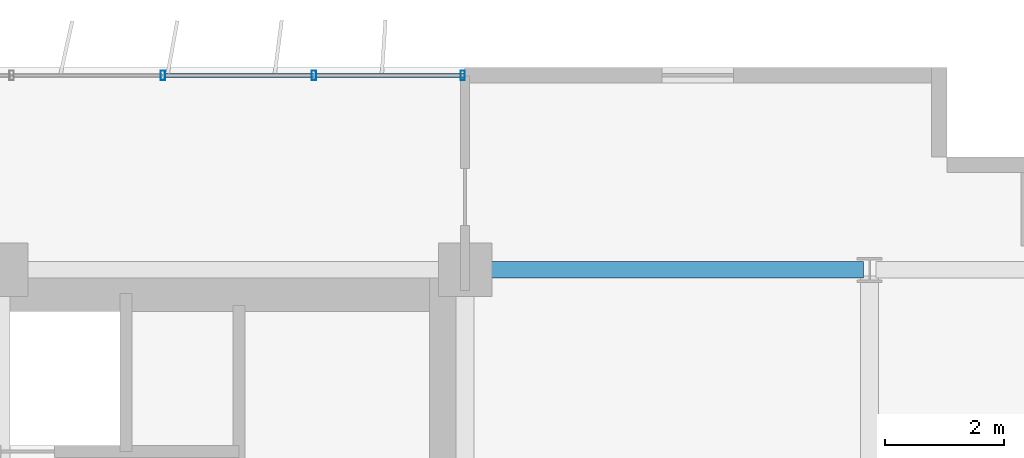
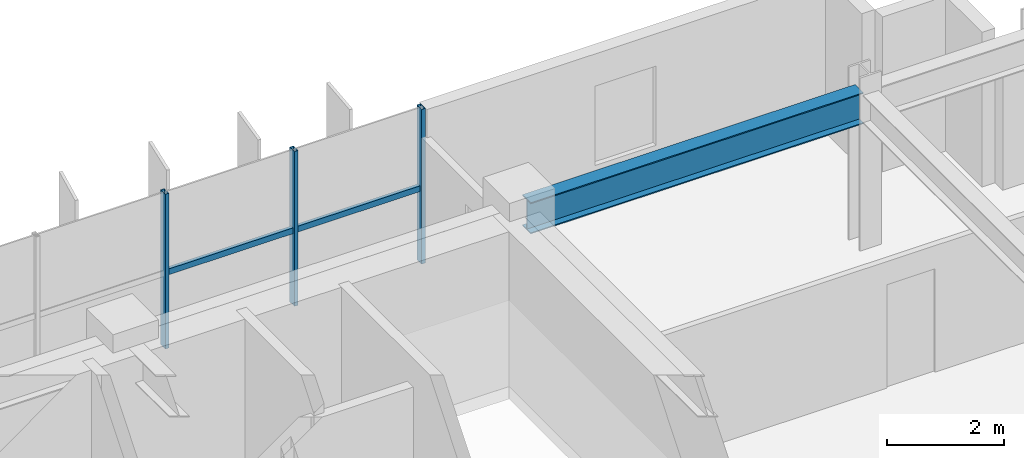
# One storey, part 15 of 25: 5 members, 1 beam, 1 element without a shape of its own.
"""IFC4 building model written with IfcOpenShell, lengths in metres."""

from ifc_helpers import new_model, si_unit, direction, frame, origin, origin_2d, place, context, subcontext, project, spatial, hollow_rectangle, i_section, extrude, source, transform, mapped, material, material_profile, profile_set, type_object, element, aggregate, save


model = new_model("IFC4")

# Units and contexts
model_context = context("Model", 3, precision=1e-05, world=origin(), true_north=direction((0.0, 1.0)))
body_context = subcontext(model_context, "Body", "Model", "MODEL_VIEW")
ifc_project = project(units=[si_unit("LENGTHUNIT", "METRE"), si_unit("AREAUNIT", "SQUARE_METRE"), si_unit("VOLUMEUNIT", "CUBIC_METRE"), si_unit("PLANEANGLEUNIT", "RADIAN"), si_unit("MASSUNIT", "GRAM", prefix="KILO")], contexts=[model_context])

# Site, building, storey
site_placement = place(None, origin())
site = spatial("IfcSite", under=ifc_project, at=site_placement, CompositionType="ELEMENT")
building_placement = place(site_placement, origin())
building = spatial("IfcBuilding", under=site, at=building_placement, Name="Trelvane Seafront Commons", CompositionType="ELEMENT")
storey_placement = place(building_placement, frame((0.0, 0.0, 70.300048828125)))
storey = spatial("IfcBuildingStorey", under=building, at=storey_placement, Name="L18", CompositionType="ELEMENT", Elevation=70.300048828125)

# Beam
ifc_material_1 = material(Name="Steel SM355 (S355)", Category="steel")
ifc_material_profile_1 = material_profile(ifc_material_1, i_section(OverallWidth=0.280029296875, OverallDepth=0.64990234375, WebThickness=0.012939453125, FlangeThickness=0.02197265625, at=origin_2d()), Name="H-650x280x13x22")
ifc_profile_set_1 = profile_set([ifc_material_profile_1], Name="Steel SM355 (S355)")
beam_type = type_object("IfcBeamType", Name="STR-BM-H650", PredefinedType="BEAM", material=ifc_profile_set_1)
shared_shape_1 = source(origin(), body_context, "Body", "SweptSolid", [
    extrude(i_section(OverallWidth=0.280029296875, OverallDepth=0.64990234375, WebThickness=0.012939453125, FlangeThickness=0.02197265625, at=origin_2d()), origin(), (0.0, 0.0, 1.0), 6.545166015625),
])
beam_placement = place(storey_placement, frame((58.949951171875, 45.10009765625, 2.89501953125), z_axis=(1.0, 0.0, 0.0), x_axis=(0.0, 1.0, 0.0)))
element("IfcBeam", 1, at=beam_placement, inside=storey, type_object=beam_type, Name="L18 Primary Girder G-35", PredefinedType="BEAM", context=body_context, shape_type="MappedRepresentation", body=[
    mapped(shared_shape_1, transform((0.0, 0.0, 0.0), x_axis=(1.0, 0.0, 0.0), y_axis=(0.0, 1.0, 0.0), z_axis=(0.0, 0.0, 1.0), scale=1.0)),
])

# Curtain wall, members
ifc_material_2 = material(Name="Anodised pale-silver aluminium", Category="aluminium")
curtain_wall_type = type_object("IfcCurtainWallType", Name="ARCH-CW2-LOWTOWER", PredefinedType="NOTDEFINED", material=ifc_material_2)
curtain_wall_placement = place(storey_placement, origin())
curtain_wall = element("IfcCurtainWall", 2, at=curtain_wall_placement, inside=storey, type_object=curtain_wall_type, Name="CW-L18-0043", PredefinedType="NOTDEFINED")
ifc_material_profile_2 = material_profile(ifc_material_2, hollow_rectangle(XDim=0.070068359375, YDim=0.1201171875, WallThickness=0.00390625, at=origin_2d()), Name="TRAN-70x120x4")
ifc_profile_set_2 = profile_set([ifc_material_profile_2], Name="Anodised pale-silver aluminium")
member_type_1 = type_object("IfcMemberType", Name="ARCH-CW-TRAN-120", PredefinedType="USERDEFINED", material=ifc_profile_set_2)
shared_shape_2 = source(origin(), body_context, "Body", "SweptSolid", [
    extrude(hollow_rectangle(XDim=0.070068359375, YDim=0.1201171875, WallThickness=0.00390625, at=origin_2d()), origin(), (0.0, 0.0, 1.0), 2.517333984375),
])
member_1_placement = place(storey_placement, frame((53.7294921875, 48.3701171875, 1.5458984375), z_axis=(1.0, 0.0, 0.0), x_axis=(0.0, 1.0, 0.0)))
member_1 = element("IfcMember", 3, at=member_1_placement, type_object=member_type_1, Name="CW-L18-0043-T15", ObjectType="TRANSOM", PredefinedType="USERDEFINED", context=body_context, shape_type="MappedRepresentation", body=[
    mapped(shared_shape_2, transform((0.0, 0.0, 0.0), x_axis=(1.0, 0.0, 0.0), y_axis=(0.0, 1.0, 0.0), z_axis=(0.0, 0.0, 1.0), scale=1.0)),
])
member_2_placement = place(storey_placement, frame((56.270751953125, 48.3701171875, 1.5458984375), z_axis=(1.0, 0.0, 0.0), x_axis=(0.0, 1.0, 0.0)))
member_2 = element("IfcMember", 4, at=member_2_placement, type_object=member_type_1, Name="CW-L18-0043-T16", ObjectType="TRANSOM", PredefinedType="USERDEFINED", context=body_context, shape_type="MappedRepresentation", body=[
    mapped(shared_shape_2, transform((0.0, 0.0, 0.0), x_axis=(1.0, 0.0, 0.0), y_axis=(0.0, 1.0, 0.0), z_axis=(0.0, 0.0, 1.0), scale=1.0)),
])
ifc_material_profile_3 = material_profile(ifc_material_2, hollow_rectangle(XDim=0.074951171875, YDim=0.159912109375, WallThickness=0.00390625, at=origin_2d()), Name="MULL-75x160x4")
ifc_profile_set_3 = profile_set([ifc_material_profile_3], Name="Anodised pale-silver aluminium")
member_type_2 = type_object("IfcMemberType", Name="ARCH-CW-MULL-160", PredefinedType="MULLION", material=ifc_profile_set_3)
shared_shape_3 = source(origin(), body_context, "Body", "SweptSolid", [
    extrude(hollow_rectangle(XDim=0.074951171875, YDim=0.159912109375, WallThickness=0.00390625, at=origin_2d()), origin(), (0.0, 0.0, 1.0), 3.219970703125),
])
member_3_placement = place(storey_placement, frame((53.717529296875, 48.3701171875, 0.0), z_axis=(0.0, 0.0, 1.0), x_axis=(1.0, 0.0, 0.0)))
member_3 = element("IfcMember", 5, at=member_3_placement, type_object=member_type_2, Name="CW-L18-0043-M15", PredefinedType="MULLION", context=body_context, shape_type="MappedRepresentation", body=[
    mapped(shared_shape_3, transform((0.0, 0.0, 0.0), x_axis=(1.0, 0.0, 0.0), y_axis=(0.0, 1.0, 0.0), z_axis=(0.0, 0.0, 1.0), scale=1.0)),
])
member_4_placement = place(storey_placement, frame((56.2587890625, 48.3701171875, 0.0), z_axis=(0.0, 0.0, 1.0), x_axis=(1.0, 0.0, 0.0)))
member_4 = element("IfcMember", 6, at=member_4_placement, type_object=member_type_2, Name="CW-L18-0043-M16", PredefinedType="MULLION", context=body_context, shape_type="MappedRepresentation", body=[
    mapped(shared_shape_3, transform((0.0, 0.0, 0.0), x_axis=(1.0, 0.0, 0.0), y_axis=(0.0, 1.0, 0.0), z_axis=(0.0, 0.0, 1.0), scale=1.0)),
])
member_5_placement = place(storey_placement, frame((58.760009765625, 48.3701171875, 0.0), z_axis=(0.0, 0.0, 1.0), x_axis=(1.0, 0.0, 0.0)))
member_5 = element("IfcMember", 7, at=member_5_placement, type_object=member_type_2, Name="CW-L18-0043-M17", PredefinedType="MULLION", context=body_context, shape_type="MappedRepresentation", body=[
    mapped(shared_shape_3, transform((0.0, 0.0, 0.0), x_axis=(1.0, 0.0, 0.0), y_axis=(0.0, 1.0, 0.0), z_axis=(0.0, 0.0, 1.0), scale=1.0)),
])
aggregate(curtain_wall, [member_3, member_4, member_5, member_1, member_2])

save(model, "model.ifc")
